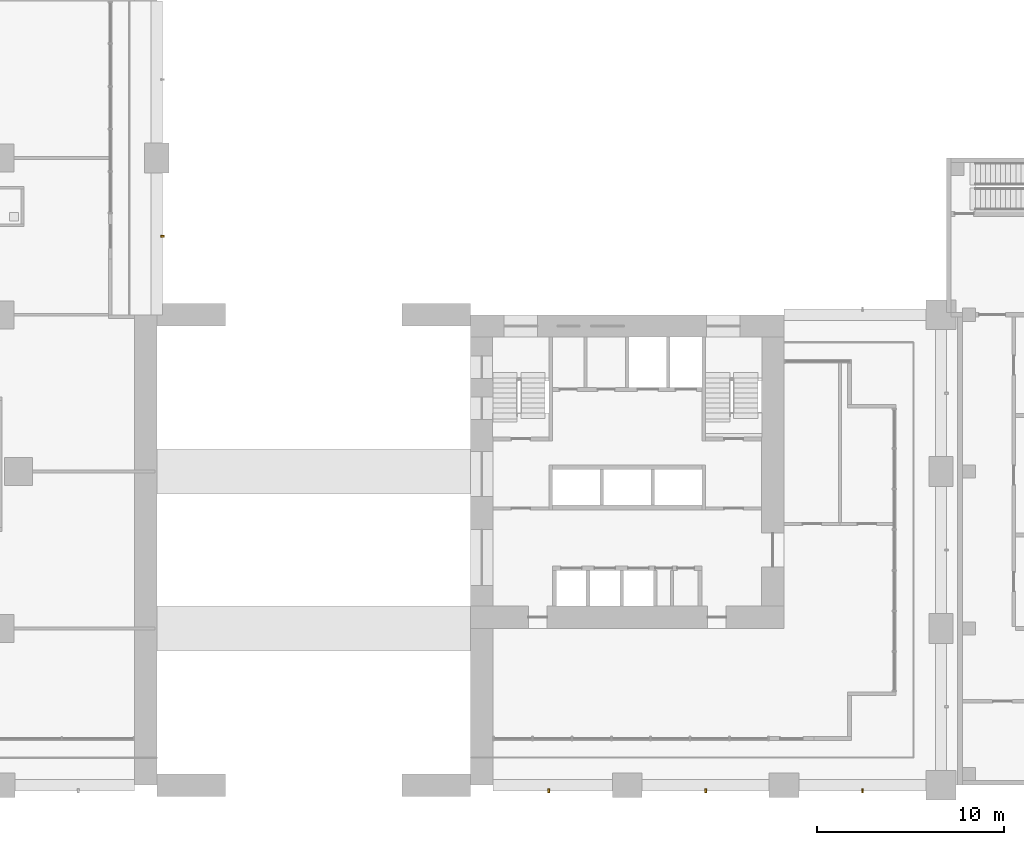
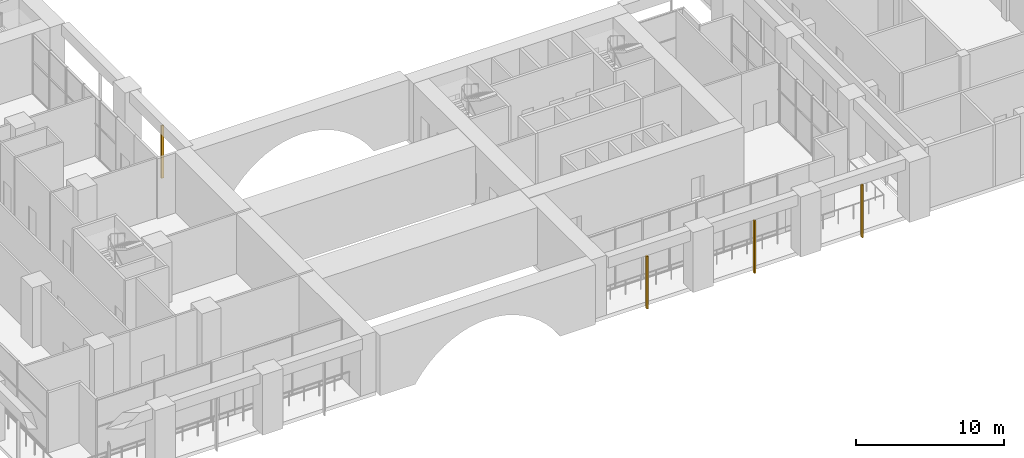
# One storey, part 21 of 26: 4 shading devices.
"""IFC4 building model written with IfcOpenShell, lengths in metres."""

from ifc_helpers import new_model, si_unit, direction, frame, origin, origin_2d, place, context, subcontext, project, spatial, rectangle, extrude, material, material_profile, profile_set, type_object, element, save


model = new_model("IFC4")

# Units and contexts
model_context = context("Model", 3, precision=1e-05, world=origin(), true_north=direction((0.0, 1.0)))
body_context = subcontext(model_context, "Body", "Model", "MODEL_VIEW")
ifc_project = project(units=[si_unit("LENGTHUNIT", "METRE"), si_unit("AREAUNIT", "SQUARE_METRE"), si_unit("VOLUMEUNIT", "CUBIC_METRE"), si_unit("PLANEANGLEUNIT", "RADIAN"), si_unit("MASSUNIT", "GRAM", prefix="KILO")], contexts=[model_context])

# Site, building, storey
site_placement = place(None, origin())
site = spatial("IfcSite", under=ifc_project, at=site_placement, CompositionType="ELEMENT")
building_placement = place(site_placement, origin())
building = spatial("IfcBuilding", under=site, at=building_placement, Name="Vermilion Gate Residences", CompositionType="ELEMENT")
storey_placement = place(building_placement, frame((0.0, 0.0, 9.0)))
storey = spatial("IfcBuildingStorey", under=building, at=storey_placement, Name="L01", CompositionType="ELEMENT", Elevation=9.0)

# Shading devices
ifc_material = material(Name="Extruded terracotta", Category="masonry")
ifc_material_profile = material_profile(ifc_material, rectangle(XDim=0.199951171875, YDim=0.10009765625, at=origin_2d()), Name="BAGUETTE 100 X 200")
ifc_profile_set = profile_set([ifc_material_profile], Name="Extruded terracotta")
shading_device_type = type_object("IfcShadingDeviceType", Name="TERRACOTTA BAGUETTE 100 X 200", PredefinedType="JALOUSIE", material=ifc_profile_set)
for number, where, z_axis, x_axis, name in (
    (1, (25.5, 29.39990234375, -0.300048828125), (0.0, 0.0, 1.0), (-1.0, 0.0, 0.0), "BAGUETTE"),
    (2, (46.199951171875, -0.300048828125, -0.300048828125), (0.0, 0.0, 1.0), (0.0, 1.0, 0.0), "BAGUETTE"),
    (3, (54.60009765625, -0.300048828125, -0.300048828125), (0.0, 0.0, 1.0), (0.0, 1.0, 0.0), "BAGUETTE"),
    (4, (63.0, -0.300048828125, -0.300048828125), (0.0, 0.0, 1.0), (0.0, 1.0, 0.0), "BAGUETTE"),
):
    element("IfcShadingDevice", number, at=place(storey_placement, frame(where, z_axis=z_axis, x_axis=x_axis)), inside=storey, type_object=shading_device_type, Name=name, PredefinedType="JALOUSIE", context=body_context, shape_type="SweptSolid", body=[
        extrude(rectangle(XDim=0.199951171875, YDim=0.10009765625, at=origin_2d()), origin(), (0.0, 0.0, 1.0), 4.35009765625),
    ])

save(model, "model.ifc")
